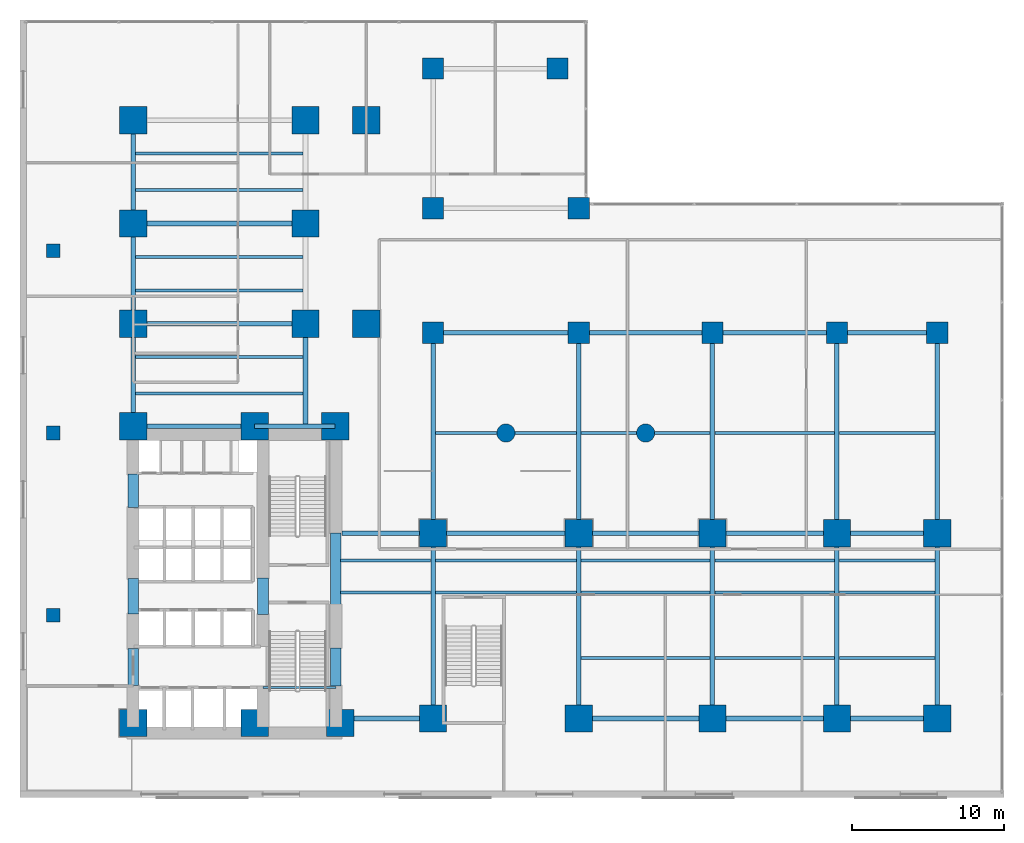
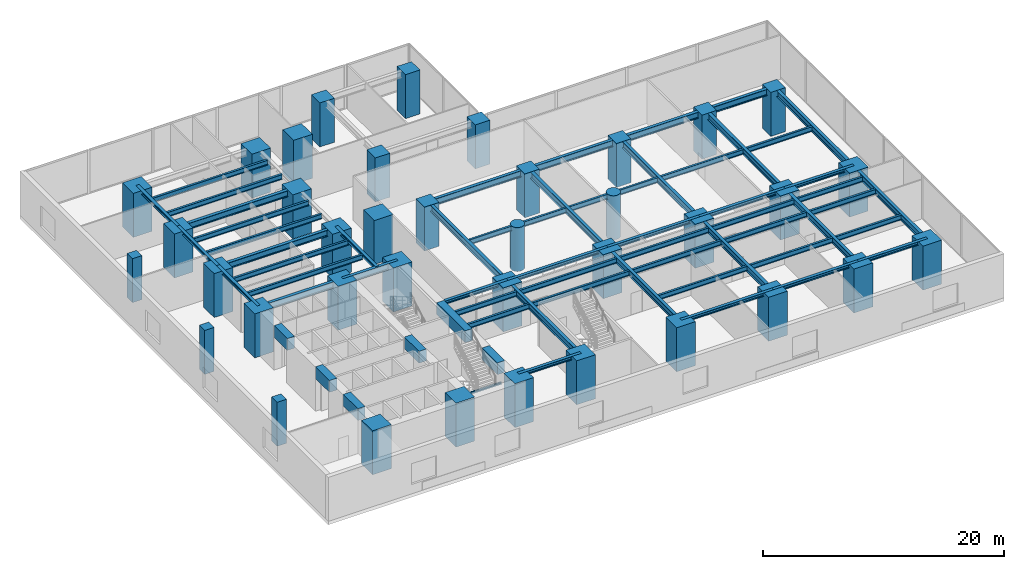
# One storey, part 1 of 16: 61 beams, 38 columns.
"""IFC4 building model written with IfcOpenShell, lengths in metres."""

from ifc_helpers import new_model, si_unit, direction, frame, origin, origin_2d, place, context, subcontext, project, spatial, rectangle, circle, i_section, extrude, material, material_profile, profile_set, type_object, element, save


model = new_model("IFC4")

# Units and contexts
model_context = context("Model", 3, precision=1e-05, world=origin(), true_north=direction((0.0, 1.0)))
body_context = subcontext(model_context, "Body", "Model", "MODEL_VIEW")
ifc_project = project(units=[si_unit("LENGTHUNIT", "METRE"), si_unit("AREAUNIT", "SQUARE_METRE"), si_unit("VOLUMEUNIT", "CUBIC_METRE"), si_unit("PLANEANGLEUNIT", "RADIAN"), si_unit("MASSUNIT", "GRAM", prefix="KILO")], contexts=[model_context])

# Site, building, storey
site_placement = place(None, origin())
site = spatial("IfcSite", under=ifc_project, at=site_placement, CompositionType="ELEMENT")
building_placement = place(site_placement, origin())
building = spatial("IfcBuilding", under=site, at=building_placement, Name="Kolvaren Waterfront Exchange", CompositionType="ELEMENT")
storey_placement = place(building_placement, frame((0.0, 0.0, 15.199951171875)))
storey = spatial("IfcBuildingStorey", under=building, at=storey_placement, Name="L04", CompositionType="ELEMENT", Elevation=15.199951171875)

# Columns
ifc_material_1 = material(Name="Concrete C70/85", Category="concrete")
ifc_material_profile_1 = material_profile(ifc_material_1, rectangle(XDim=1.39990234375, YDim=1.39990234375, at=origin_2d()), Name="RC-COL-1400x1400")
ifc_profile_set_1 = profile_set([ifc_material_profile_1], Name="Concrete C70/85")
column_type_1 = type_object("IfcColumnType", Name="STR-COL-1400-C70", PredefinedType="COLUMN", material=ifc_profile_set_1)
for number, where, z_axis, x_axis, name in (
    (1, (27.199951171875, 30.60009765625, 0.0), (0.0, 0.0, 1.0), (1.0, 0.0, 0.0), "L04 column PC01"),
    (2, (36.800048828125, 30.60009765625, 0.0), (0.0, 0.0, 1.0), (1.0, 0.0, 0.0), "L04 column PC02"),
    (3, (45.60009765625, 30.60009765625, 0.0), (0.0, 0.0, 1.0), (1.0, 0.0, 0.0), "L04 column PC03"),
    (4, (53.800048828125, 30.60009765625, 0.0), (0.0, 0.0, 1.0), (1.0, 0.0, 0.0), "L04 column PC04"),
    (5, (60.39990234375, 30.60009765625, 0.0), (0.0, 0.0, 1.0), (1.0, 0.0, 0.0), "L04 column PC05"),
    (6, (27.199951171875, 38.800048828125, 0.0), (0.0, 0.0, 1.0), (1.0, 0.0, 0.0), "L04 column PC06"),
    (7, (36.800048828125, 38.800048828125, 0.0), (0.0, 0.0, 1.0), (1.0, 0.0, 0.0), "L04 column PC07"),
    (8, (27.199951171875, 48.0, 0.0), (0.0, 0.0, 1.0), (1.0, 0.0, 0.0), "L04 column PC08"),
    (9, (35.39990234375, 48.0, 0.0), (0.0, 0.0, 1.0), (1.0, 0.0, 0.0), "L04 column PC09"),
):
    element("IfcColumn", number, at=place(storey_placement, frame(where, z_axis=z_axis, x_axis=x_axis)), inside=storey, type_object=column_type_1, Name=name, PredefinedType="COLUMN", context=body_context, shape_type="SweptSolid", body=[
        extrude(rectangle(XDim=1.39990234375, YDim=1.39990234375, at=origin_2d()), origin(), (0.0, 0.0, 1.0), 4.4599609375),
    ])
ifc_material_profile_2 = material_profile(ifc_material_1, rectangle(XDim=1.800048828125, YDim=1.800048828125, at=origin_2d()), Name="RC-COL-1800x1800")
ifc_profile_set_2 = profile_set([ifc_material_profile_2], Name="Concrete C70/85")
column_type_2 = type_object("IfcColumnType", Name="STR-COL-1800-C70", PredefinedType="COLUMN", material=ifc_profile_set_2)
for number, where, z_axis, x_axis, name in (
    (10, (7.449951171875, 4.89990234375, 0.0), (0.0, 0.0, 1.0), (1.0, 0.0, 0.0), "L04 column MC01"),
    (11, (15.449951171875, 4.89990234375, 0.0), (0.0, 0.0, 1.0), (1.0, 0.0, 0.0), "L04 column MC02"),
    (12, (21.10009765625, 4.89990234375, 0.0), (0.0, 0.0, 1.0), (1.0, 0.0, 0.0), "L04 column MC03"),
    (13, (7.449951171875, 24.449951171875, 0.0), (0.0, 0.0, 1.0), (1.0, 0.0, 0.0), "L04 column MC04"),
    (14, (15.449951171875, 24.449951171875, 0.0), (0.0, 0.0, 1.0), (1.0, 0.0, 0.0), "L04 column MC05"),
    (15, (20.75, 24.449951171875, 0.0), (0.0, 0.0, 1.0), (1.0, 0.0, 0.0), "L04 column MC06"),
    (16, (7.449951171875, 31.199951171875, 0.0), (0.0, 0.0, 1.0), (1.0, 0.0, 0.0), "L04 column NC01"),
    (17, (7.449951171875, 37.800048828125, 0.0), (0.0, 0.0, 1.0), (1.0, 0.0, 0.0), "L04 column NC02"),
    (18, (7.449951171875, 44.60009765625, 0.0), (0.0, 0.0, 1.0), (1.0, 0.0, 0.0), "L04 column NC03"),
    (19, (18.800048828125, 31.199951171875, 0.0), (0.0, 0.0, 1.0), (1.0, 0.0, 0.0), "L04 column NC04"),
    (20, (18.800048828125, 37.800048828125, 0.0), (0.0, 0.0, 1.0), (1.0, 0.0, 0.0), "L04 column NC05"),
    (21, (18.800048828125, 44.60009765625, 0.0), (0.0, 0.0, 1.0), (1.0, 0.0, 0.0), "L04 column NC06"),
    (22, (27.199951171875, 5.199951171875, 0.0), (0.0, 0.0, 1.0), (1.0, 0.0, 0.0), "L04 column EC01"),
    (23, (36.800048828125, 5.199951171875, 0.0), (0.0, 0.0, 1.0), (1.0, 0.0, 0.0), "L04 column EC02"),
    (24, (45.60009765625, 5.199951171875, 0.0), (0.0, 0.0, 1.0), (1.0, 0.0, 0.0), "L04 column EC03"),
    (25, (27.199951171875, 17.39990234375, 0.0), (0.0, 0.0, 1.0), (1.0, 0.0, 0.0), "L04 column EC04"),
    (26, (36.800048828125, 17.39990234375, 0.0), (0.0, 0.0, 1.0), (1.0, 0.0, 0.0), "L04 column EC05"),
    (27, (45.60009765625, 17.39990234375, 0.0), (0.0, 0.0, 1.0), (1.0, 0.0, 0.0), "L04 column EC06"),
    (28, (53.800048828125, 5.199951171875, 0.0), (0.0, 0.0, 1.0), (1.0, 0.0, 0.0), "L04 column ZC01"),
    (29, (53.800048828125, 17.39990234375, 0.0), (0.0, 0.0, 1.0), (1.0, 0.0, 0.0), "L04 column ZC02"),
    (30, (60.39990234375, 5.199951171875, 0.0), (0.0, 0.0, 1.0), (1.0, 0.0, 0.0), "L04 column ZC03"),
    (31, (60.39990234375, 17.39990234375, 0.0), (0.0, 0.0, 1.0), (1.0, 0.0, 0.0), "L04 column ZC04"),
    (32, (22.800048828125, 31.199951171875, 0.0), (0.0, 0.0, 1.0), (1.0, 0.0, 0.0), "L04 column ZC05"),
    (33, (22.800048828125, 44.60009765625, 0.0), (0.0, 0.0, 1.0), (1.0, 0.0, 0.0), "L04 column ZC06"),
):
    element("IfcColumn", number, at=place(storey_placement, frame(where, z_axis=z_axis, x_axis=x_axis)), inside=storey, type_object=column_type_2, Name=name, PredefinedType="COLUMN", context=body_context, shape_type="SweptSolid", body=[
        extrude(rectangle(XDim=1.800048828125, YDim=1.800048828125, at=origin_2d()), origin(), (0.0, 0.0, 1.0), 4.4599609375),
    ])
ifc_material_profile_3 = material_profile(ifc_material_1, circle(Radius=0.60009765625, at=origin_2d()), Name="RC-COL-D1200")
ifc_profile_set_3 = profile_set([ifc_material_profile_3], Name="Concrete C70/85")
column_type_3 = type_object("IfcColumnType", Name="STR-COL-D1200-C70", PredefinedType="COLUMN", material=ifc_profile_set_3)
for number, where, z_axis, x_axis, name in (
    (34, (32.0, 24.0, 0.0), (0.0, 0.0, 1.0), (1.0, 0.0, 0.0), "L04 column LC01"),
    (35, (41.199951171875, 24.0, 0.0), (0.0, 0.0, 1.0), (1.0, 0.0, 0.0), "L04 column LC02"),
):
    element("IfcColumn", number, at=place(storey_placement, frame(where, z_axis=z_axis, x_axis=x_axis)), inside=storey, type_object=column_type_3, Name=name, PredefinedType="COLUMN", context=body_context, shape_type="SweptSolid", body=[
        extrude(circle(Radius=0.60009765625, at=origin_2d()), origin(), (0.0, 0.0, 1.0), 4.4599609375),
    ])
ifc_material_profile_4 = material_profile(ifc_material_1, rectangle(XDim=0.89990234375, YDim=0.89990234375, at=origin_2d()), Name="RC-COL-900x900")
ifc_profile_set_4 = profile_set([ifc_material_profile_4], Name="Concrete C70/85")
column_type_4 = type_object("IfcColumnType", Name="STR-PIL-900-C70", PredefinedType="PILASTER", material=ifc_profile_set_4)
for number, where, z_axis, x_axis, name in (
    (36, (2.199951171875, 12.0, 0.0), (0.0, 0.0, 1.0), (1.0, 0.0, 0.0), "L04 column PL01"),
    (37, (2.199951171875, 24.0, 0.0), (0.0, 0.0, 1.0), (1.0, 0.0, 0.0), "L04 column PL02"),
    (38, (2.199951171875, 36.0, 0.0), (0.0, 0.0, 1.0), (1.0, 0.0, 0.0), "L04 column PL03"),
):
    element("IfcColumn", number, at=place(storey_placement, frame(where, z_axis=z_axis, x_axis=x_axis)), inside=storey, type_object=column_type_4, Name=name, PredefinedType="PILASTER", context=body_context, shape_type="SweptSolid", body=[
        extrude(rectangle(XDim=0.89990234375, YDim=0.89990234375, at=origin_2d()), origin(), (0.0, 0.0, 1.0), 4.4599609375),
    ])

# Beams
ifc_material_2 = material(Name="Steel S355", Category="steel")
ifc_material_profile_5 = material_profile(ifc_material_2, i_section(OverallWidth=0.300048828125, OverallDepth=0.360107421875, WebThickness=0.012451171875, FlangeThickness=0.0224609375, FilletRadius=0.027099609375, at=origin_2d()), Name="HEB360")
ifc_profile_set_5 = profile_set([ifc_material_profile_5], Name="Steel S355")
beam_type_1 = type_object("IfcBeamType", Name="STR-BM-HEB360", PredefinedType="SPANDREL", material=ifc_profile_set_5)
beam_1_placement = place(storey_placement, frame((7.449951171875, 24.449951171875, 4.280029296875), z_axis=(0.0, 1.0, 0.0), x_axis=(-1.0, 0.0, 0.0)))
element("IfcBeam", 39, at=beam_1_placement, inside=storey, type_object=beam_type_1, Name="L04 north-arm edge beam 1", PredefinedType="SPANDREL", context=body_context, shape_type="SweptSolid", body=[
    extrude(i_section(OverallWidth=0.300048828125, OverallDepth=0.360107421875, WebThickness=0.012451171875, FlangeThickness=0.0224609375, FilletRadius=0.027099609375, at=origin_2d()), origin(), (0.0, 0.0, 1.0), 6.75),
])
beam_2_placement = place(storey_placement, frame((7.449951171875, 31.199951171875, 4.280029296875), z_axis=(0.0, 1.0, 0.0), x_axis=(-1.0, 0.0, 0.0)))
element("IfcBeam", 40, at=beam_2_placement, inside=storey, type_object=beam_type_1, Name="L04 north-arm edge beam 2", PredefinedType="SPANDREL", context=body_context, shape_type="SweptSolid", body=[
    extrude(i_section(OverallWidth=0.300048828125, OverallDepth=0.360107421875, WebThickness=0.012451171875, FlangeThickness=0.0224609375, FilletRadius=0.027099609375, at=origin_2d()), origin(), (0.0, 0.0, 1.0), 6.60009765625),
])
beam_3_placement = place(storey_placement, frame((7.449951171875, 37.800048828125, 4.280029296875), z_axis=(0.0, 1.0, 0.0), x_axis=(-1.0, 0.0, 0.0)))
element("IfcBeam", 41, at=beam_3_placement, inside=storey, type_object=beam_type_1, Name="L04 north-arm edge beam 3", PredefinedType="SPANDREL", context=body_context, shape_type="SweptSolid", body=[
    extrude(i_section(OverallWidth=0.300048828125, OverallDepth=0.360107421875, WebThickness=0.012451171875, FlangeThickness=0.0224609375, FilletRadius=0.027099609375, at=origin_2d()), origin(), (0.0, 0.0, 1.0), 6.800048828125),
])
beam_4_placement = place(storey_placement, frame((18.800048828125, 24.449951171875, 4.280029296875), z_axis=(0.0, 1.0, 0.0), x_axis=(-1.0, 0.0, 0.0)))
element("IfcBeam", 42, at=beam_4_placement, inside=storey, type_object=beam_type_1, Name="L04 north-arm edge beam 1", PredefinedType="SPANDREL", context=body_context, shape_type="SweptSolid", body=[
    extrude(i_section(OverallWidth=0.300048828125, OverallDepth=0.360107421875, WebThickness=0.012451171875, FlangeThickness=0.0224609375, FilletRadius=0.027099609375, at=origin_2d()), origin(), (0.0, 0.0, 1.0), 6.75),
])
beam_5_placement = place(storey_placement, frame((21.199951171875, 5.199951171875, 4.280029296875), z_axis=(1.0, 0.0, 0.0), x_axis=(0.0, 1.0, 0.0)))
element("IfcBeam", 43, at=beam_5_placement, inside=storey, type_object=beam_type_1, Name="L04 east-arm spandrel S1", PredefinedType="SPANDREL", context=body_context, shape_type="SweptSolid", body=[
    extrude(i_section(OverallWidth=0.300048828125, OverallDepth=0.360107421875, WebThickness=0.012451171875, FlangeThickness=0.0224609375, FilletRadius=0.027099609375, at=origin_2d()), origin(), (0.0, 0.0, 1.0), 6.0),
])
beam_6_placement = place(storey_placement, frame((36.800048828125, 5.199951171875, 4.280029296875), z_axis=(1.0, 0.0, 0.0), x_axis=(0.0, 1.0, 0.0)))
element("IfcBeam", 44, at=beam_6_placement, inside=storey, type_object=beam_type_1, Name="L04 east-arm spandrel S3", PredefinedType="SPANDREL", context=body_context, shape_type="SweptSolid", body=[
    extrude(i_section(OverallWidth=0.300048828125, OverallDepth=0.360107421875, WebThickness=0.012451171875, FlangeThickness=0.0224609375, FilletRadius=0.027099609375, at=origin_2d()), origin(), (0.0, 0.0, 1.0), 8.800048828125),
])
beam_7_placement = place(storey_placement, frame((45.60009765625, 5.199951171875, 4.280029296875), z_axis=(1.0, 0.0, 0.0), x_axis=(0.0, 1.0, 0.0)))
element("IfcBeam", 45, at=beam_7_placement, inside=storey, type_object=beam_type_1, Name="L04 east-arm spandrel S4", PredefinedType="SPANDREL", context=body_context, shape_type="SweptSolid", body=[
    extrude(i_section(OverallWidth=0.300048828125, OverallDepth=0.360107421875, WebThickness=0.012451171875, FlangeThickness=0.0224609375, FilletRadius=0.027099609375, at=origin_2d()), origin(), (0.0, 0.0, 1.0), 8.199951171875),
])
beam_8_placement = place(storey_placement, frame((53.800048828125, 5.199951171875, 4.280029296875), z_axis=(1.0, 0.0, 0.0), x_axis=(0.0, 1.0, 0.0)))
element("IfcBeam", 46, at=beam_8_placement, inside=storey, type_object=beam_type_1, Name="L04 east-arm spandrel S5", PredefinedType="SPANDREL", context=body_context, shape_type="SweptSolid", body=[
    extrude(i_section(OverallWidth=0.300048828125, OverallDepth=0.360107421875, WebThickness=0.012451171875, FlangeThickness=0.0224609375, FilletRadius=0.027099609375, at=origin_2d()), origin(), (0.0, 0.0, 1.0), 6.599853515625),
])
beam_9_placement = place(storey_placement, frame((21.199951171875, 17.39990234375, 4.280029296875), z_axis=(1.0, 0.0, 0.0), x_axis=(0.0, 1.0, 0.0)))
element("IfcBeam", 47, at=beam_9_placement, inside=storey, type_object=beam_type_1, Name="L04 east-arm spandrel N1", PredefinedType="SPANDREL", context=body_context, shape_type="SweptSolid", body=[
    extrude(i_section(OverallWidth=0.300048828125, OverallDepth=0.360107421875, WebThickness=0.012451171875, FlangeThickness=0.0224609375, FilletRadius=0.027099609375, at=origin_2d()), origin(), (0.0, 0.0, 1.0), 6.0),
])
beam_10_placement = place(storey_placement, frame((27.199951171875, 17.39990234375, 4.280029296875), z_axis=(1.0, 0.0, 0.0), x_axis=(0.0, 1.0, 0.0)))
element("IfcBeam", 48, at=beam_10_placement, inside=storey, type_object=beam_type_1, Name="L04 east-arm spandrel N2", PredefinedType="SPANDREL", context=body_context, shape_type="SweptSolid", body=[
    extrude(i_section(OverallWidth=0.300048828125, OverallDepth=0.360107421875, WebThickness=0.012451171875, FlangeThickness=0.0224609375, FilletRadius=0.027099609375, at=origin_2d()), origin(), (0.0, 0.0, 1.0), 9.60009765625),
])
beam_11_placement = place(storey_placement, frame((36.800048828125, 17.39990234375, 4.280029296875), z_axis=(1.0, 0.0, 0.0), x_axis=(0.0, 1.0, 0.0)))
element("IfcBeam", 49, at=beam_11_placement, inside=storey, type_object=beam_type_1, Name="L04 east-arm spandrel N3", PredefinedType="SPANDREL", context=body_context, shape_type="SweptSolid", body=[
    extrude(i_section(OverallWidth=0.300048828125, OverallDepth=0.360107421875, WebThickness=0.012451171875, FlangeThickness=0.0224609375, FilletRadius=0.027099609375, at=origin_2d()), origin(), (0.0, 0.0, 1.0), 8.800048828125),
])
beam_12_placement = place(storey_placement, frame((45.60009765625, 17.39990234375, 4.280029296875), z_axis=(1.0, 0.0, 0.0), x_axis=(0.0, 1.0, 0.0)))
element("IfcBeam", 50, at=beam_12_placement, inside=storey, type_object=beam_type_1, Name="L04 east-arm spandrel N4", PredefinedType="SPANDREL", context=body_context, shape_type="SweptSolid", body=[
    extrude(i_section(OverallWidth=0.300048828125, OverallDepth=0.360107421875, WebThickness=0.012451171875, FlangeThickness=0.0224609375, FilletRadius=0.027099609375, at=origin_2d()), origin(), (0.0, 0.0, 1.0), 8.199951171875),
])
beam_13_placement = place(storey_placement, frame((53.800048828125, 17.39990234375, 4.280029296875), z_axis=(1.0, 0.0, 0.0), x_axis=(0.0, 1.0, 0.0)))
element("IfcBeam", 51, at=beam_13_placement, inside=storey, type_object=beam_type_1, Name="L04 east-arm spandrel N5", PredefinedType="SPANDREL", context=body_context, shape_type="SweptSolid", body=[
    extrude(i_section(OverallWidth=0.300048828125, OverallDepth=0.360107421875, WebThickness=0.012451171875, FlangeThickness=0.0224609375, FilletRadius=0.027099609375, at=origin_2d()), origin(), (0.0, 0.0, 1.0), 6.599853515625),
])
ifc_material_profile_6 = material_profile(ifc_material_2, i_section(OverallWidth=0.300048828125, OverallDepth=0.64990234375, WebThickness=0.01611328125, FlangeThickness=0.031005859375, FilletRadius=0.027099609375, at=origin_2d()), Name="HEB650")
ifc_profile_set_6 = profile_set([ifc_material_profile_6], Name="Steel S355")
beam_type_2 = type_object("IfcBeamType", Name="STR-BM-HEB650", PredefinedType="BEAM", material=ifc_profile_set_6)
beam_14_placement = place(storey_placement, frame((7.449951171875, 24.449951171875, 4.135009765625), z_axis=(1.0, 0.0, 0.0), x_axis=(0.0, 1.0, 0.0)))
element("IfcBeam", 52, at=beam_14_placement, inside=storey, type_object=beam_type_2, Name="L04 north-arm girder 1A", PredefinedType="BEAM", context=body_context, shape_type="SweptSolid", body=[
    extrude(i_section(OverallWidth=0.300048828125, OverallDepth=0.64990234375, WebThickness=0.01611328125, FlangeThickness=0.031005859375, FilletRadius=0.027099609375, at=origin_2d()), origin(), (0.0, 0.0, 1.0), 8.0),
])
beam_15_placement = place(storey_placement, frame((15.449951171875, 24.449951171875, 4.135009765625), z_axis=(1.0, 0.0, 0.0), x_axis=(0.0, 1.0, 0.0)))
element("IfcBeam", 53, at=beam_15_placement, inside=storey, type_object=beam_type_2, Name="L04 north-arm girder 1B", PredefinedType="BEAM", context=body_context, shape_type="SweptSolid", body=[
    extrude(i_section(OverallWidth=0.300048828125, OverallDepth=0.64990234375, WebThickness=0.01611328125, FlangeThickness=0.031005859375, FilletRadius=0.027099609375, at=origin_2d()), origin(), (0.0, 0.0, 1.0), 5.300048828125),
])
for number, where, z_axis, x_axis, name in (
    (54, (7.449951171875, 31.199951171875, 4.135009765625), (1.0, 0.0, 0.0), (0.0, 1.0, 0.0), "L04 north-arm girder 2"),
    (55, (7.449951171875, 37.800048828125, 4.135009765625), (1.0, 0.0, 0.0), (0.0, 1.0, 0.0), "L04 north-arm girder 3"),
):
    element("IfcBeam", number, at=place(storey_placement, frame(where, z_axis=z_axis, x_axis=x_axis)), inside=storey, type_object=beam_type_2, Name=name, PredefinedType="BEAM", context=body_context, shape_type="SweptSolid", body=[
        extrude(i_section(OverallWidth=0.300048828125, OverallDepth=0.64990234375, WebThickness=0.01611328125, FlangeThickness=0.031005859375, FilletRadius=0.027099609375, at=origin_2d()), origin(), (0.0, 0.0, 1.0), 11.35009765625),
    ])
for number, where, z_axis, x_axis, name in (
    (56, (27.199951171875, 5.199951171875, 4.135009765625), (0.0, 1.0, 0.0), (-1.0, 0.0, 0.0), "L04 east-arm transverse girder X27"),
    (57, (36.800048828125, 5.199951171875, 4.135009765625), (0.0, 1.0, 0.0), (-1.0, 0.0, 0.0), "L04 east-arm transverse girder X36"),
    (58, (45.60009765625, 5.199951171875, 4.135009765625), (0.0, 1.0, 0.0), (-1.0, 0.0, 0.0), "L04 east-arm transverse girder X45"),
    (59, (53.800048828125, 5.199951171875, 4.135009765625), (0.0, 1.0, 0.0), (-1.0, 0.0, 0.0), "L04 east-arm transverse girder X53"),
    (60, (60.39990234375, 5.199951171875, 4.135009765625), (0.0, 1.0, 0.0), (-1.0, 0.0, 0.0), "L04 east-arm transverse girder X60"),
):
    element("IfcBeam", number, at=place(storey_placement, frame(where, z_axis=z_axis, x_axis=x_axis)), inside=storey, type_object=beam_type_2, Name=name, PredefinedType="BEAM", context=body_context, shape_type="SweptSolid", body=[
        extrude(i_section(OverallWidth=0.300048828125, OverallDepth=0.64990234375, WebThickness=0.01611328125, FlangeThickness=0.031005859375, FilletRadius=0.027099609375, at=origin_2d()), origin(), (0.0, 0.0, 1.0), 12.199951171875),
    ])
for number, where, z_axis, x_axis, name in (
    (61, (27.199951171875, 17.39990234375, 4.135009765625), (0.0, 1.0, 0.0), (-1.0, 0.0, 0.0), "L04 podium hall girder X27"),
    (62, (36.800048828125, 17.39990234375, 4.135009765625), (0.0, 1.0, 0.0), (-1.0, 0.0, 0.0), "L04 podium hall girder X36"),
    (63, (45.60009765625, 17.39990234375, 4.135009765625), (0.0, 1.0, 0.0), (-1.0, 0.0, 0.0), "L04 podium hall girder X45"),
    (64, (53.800048828125, 17.39990234375, 4.135009765625), (0.0, 1.0, 0.0), (-1.0, 0.0, 0.0), "L04 podium hall girder X53"),
    (65, (60.39990234375, 17.39990234375, 4.135009765625), (0.0, 1.0, 0.0), (-1.0, 0.0, 0.0), "L04 podium hall girder X60"),
):
    element("IfcBeam", number, at=place(storey_placement, frame(where, z_axis=z_axis, x_axis=x_axis)), inside=storey, type_object=beam_type_2, Name=name, PredefinedType="BEAM", context=body_context, shape_type="SweptSolid", body=[
        extrude(i_section(OverallWidth=0.300048828125, OverallDepth=0.64990234375, WebThickness=0.01611328125, FlangeThickness=0.031005859375, FilletRadius=0.027099609375, at=origin_2d()), origin(), (0.0, 0.0, 1.0), 13.2001953125),
    ])
beam_16_placement = place(storey_placement, frame((27.199951171875, 30.60009765625, 4.135009765625), z_axis=(1.0, 0.0, 0.0), x_axis=(0.0, 1.0, 0.0)))
element("IfcBeam", 66, at=beam_16_placement, inside=storey, type_object=beam_type_2, Name="L04 podium longitudinal beam 1", PredefinedType="BEAM", context=body_context, shape_type="SweptSolid", body=[
    extrude(i_section(OverallWidth=0.300048828125, OverallDepth=0.64990234375, WebThickness=0.01611328125, FlangeThickness=0.031005859375, FilletRadius=0.027099609375, at=origin_2d()), origin(), (0.0, 0.0, 1.0), 9.60009765625),
])
beam_17_placement = place(storey_placement, frame((36.800048828125, 30.60009765625, 4.135009765625), z_axis=(1.0, 0.0, 0.0), x_axis=(0.0, 1.0, 0.0)))
element("IfcBeam", 67, at=beam_17_placement, inside=storey, type_object=beam_type_2, Name="L04 podium longitudinal beam 2", PredefinedType="BEAM", context=body_context, shape_type="SweptSolid", body=[
    extrude(i_section(OverallWidth=0.300048828125, OverallDepth=0.64990234375, WebThickness=0.01611328125, FlangeThickness=0.031005859375, FilletRadius=0.027099609375, at=origin_2d()), origin(), (0.0, 0.0, 1.0), 8.800048828125),
])
beam_18_placement = place(storey_placement, frame((45.60009765625, 30.60009765625, 4.135009765625), z_axis=(1.0, 0.0, 0.0), x_axis=(0.0, 1.0, 0.0)))
element("IfcBeam", 68, at=beam_18_placement, inside=storey, type_object=beam_type_2, Name="L04 podium longitudinal beam 3", PredefinedType="BEAM", context=body_context, shape_type="SweptSolid", body=[
    extrude(i_section(OverallWidth=0.300048828125, OverallDepth=0.64990234375, WebThickness=0.01611328125, FlangeThickness=0.031005859375, FilletRadius=0.027099609375, at=origin_2d()), origin(), (0.0, 0.0, 1.0), 8.199951171875),
])
beam_19_placement = place(storey_placement, frame((53.800048828125, 30.60009765625, 4.135009765625), z_axis=(1.0, 0.0, 0.0), x_axis=(0.0, 1.0, 0.0)))
element("IfcBeam", 69, at=beam_19_placement, inside=storey, type_object=beam_type_2, Name="L04 podium longitudinal beam 4", PredefinedType="BEAM", context=body_context, shape_type="SweptSolid", body=[
    extrude(i_section(OverallWidth=0.300048828125, OverallDepth=0.64990234375, WebThickness=0.01611328125, FlangeThickness=0.031005859375, FilletRadius=0.027099609375, at=origin_2d()), origin(), (0.0, 0.0, 1.0), 6.599853515625),
])
ifc_material_profile_7 = material_profile(ifc_material_2, i_section(OverallWidth=0.1201171875, OverallDepth=0.239990234375, WebThickness=0.006103515625, FlangeThickness=0.009765625, FilletRadius=0.014892578125, at=origin_2d()), Name="IPE240")
ifc_profile_set_7 = profile_set([ifc_material_profile_7], Name="Steel S355")
beam_type_3 = type_object("IfcBeamType", Name="STR-BM-IPE240", PredefinedType="LINTEL", material=ifc_profile_set_7)
beam_20_placement = place(storey_placement, frame((16.0, 7.25, 2.380126953125), z_axis=(1.0, 0.0, 0.0), x_axis=(0.0, 1.0, 0.0)))
element("IfcBeam", 70, at=beam_20_placement, inside=storey, type_object=beam_type_3, Name="L04 core throat header lintel", PredefinedType="LINTEL", context=body_context, shape_type="SweptSolid", body=[
    extrude(i_section(OverallWidth=0.1201171875, OverallDepth=0.239990234375, WebThickness=0.006103515625, FlangeThickness=0.009765625, FilletRadius=0.014892578125, at=origin_2d()), origin(), (0.0, 0.0, 1.0), 4.800048828125),
])
ifc_material_profile_8 = material_profile(ifc_material_2, i_section(OverallWidth=0.199951171875, OverallDepth=0.5, WebThickness=0.01025390625, FlangeThickness=0.01611328125, FilletRadius=0.02099609375, at=origin_2d()), Name="IPE500")
ifc_profile_set_8 = profile_set([ifc_material_profile_8], Name="Steel S355")
beam_type_4 = type_object("IfcBeamType", Name="STR-BM-IPE500", PredefinedType="JOIST", material=ifc_profile_set_8)
for number, where, z_axis, x_axis, name in (
    (71, (7.60205078125, 26.60009765625, 4.2099609375), (1.0, 0.0, 0.0), (0.0, 1.0, 0.0), "L04 north-arm composite joist 1"),
    (72, (7.60205078125, 29.0, 4.2099609375), (1.0, 0.0, 0.0), (0.0, 1.0, 0.0), "L04 north-arm composite joist 2"),
    (73, (7.60205078125, 33.39990234375, 4.2099609375), (1.0, 0.0, 0.0), (0.0, 1.0, 0.0), "L04 north-arm composite joist 3"),
    (74, (7.60205078125, 35.60009765625, 4.2099609375), (1.0, 0.0, 0.0), (0.0, 1.0, 0.0), "L04 north-arm composite joist 4"),
    (75, (7.60205078125, 40.0, 4.2099609375), (1.0, 0.0, 0.0), (0.0, 1.0, 0.0), "L04 north-arm composite joist 5"),
    (76, (7.60205078125, 42.39990234375, 4.2099609375), (1.0, 0.0, 0.0), (0.0, 1.0, 0.0), "L04 north-arm composite joist 6"),
):
    element("IfcBeam", number, at=place(storey_placement, frame(where, z_axis=z_axis, x_axis=x_axis)), inside=storey, type_object=beam_type_4, Name=name, PredefinedType="JOIST", context=body_context, shape_type="SweptSolid", body=[
        extrude(i_section(OverallWidth=0.199951171875, OverallDepth=0.5, WebThickness=0.01025390625, FlangeThickness=0.01611328125, FilletRadius=0.02099609375, at=origin_2d()), origin(), (0.0, 0.0, 1.0), 11.0458984375),
    ])
for number, where, z_axis, x_axis, name in (
    (77, (21.10009765625, 13.5, 4.2099609375), (1.0, 0.0, 0.0), (0.0, 1.0, 0.0), "L04 east-arm composite joist 1A"),
    (78, (21.10009765625, 15.60009765625, 4.2099609375), (1.0, 0.0, 0.0), (0.0, 1.0, 0.0), "L04 east-arm composite joist 1C"),
):
    element("IfcBeam", number, at=place(storey_placement, frame(where, z_axis=z_axis, x_axis=x_axis)), inside=storey, type_object=beam_type_4, Name=name, PredefinedType="JOIST", context=body_context, shape_type="SweptSolid", body=[
        extrude(i_section(OverallWidth=0.199951171875, OverallDepth=0.5, WebThickness=0.01025390625, FlangeThickness=0.01611328125, FilletRadius=0.02099609375, at=origin_2d()), origin(), (0.0, 0.0, 1.0), 5.947998046875),
    ])
for number, where, z_axis, x_axis, name in (
    (79, (27.35205078125, 13.5, 4.2099609375), (1.0, 0.0, 0.0), (0.0, 1.0, 0.0), "L04 east-arm composite joist 2A"),
    (80, (27.35205078125, 15.60009765625, 4.2099609375), (1.0, 0.0, 0.0), (0.0, 1.0, 0.0), "L04 east-arm composite joist 2C"),
):
    element("IfcBeam", number, at=place(storey_placement, frame(where, z_axis=z_axis, x_axis=x_axis)), inside=storey, type_object=beam_type_4, Name=name, PredefinedType="JOIST", context=body_context, shape_type="SweptSolid", body=[
        extrude(i_section(OverallWidth=0.199951171875, OverallDepth=0.5, WebThickness=0.01025390625, FlangeThickness=0.01611328125, FilletRadius=0.02099609375, at=origin_2d()), origin(), (0.0, 0.0, 1.0), 9.2958984375),
    ])
for number, where, z_axis, x_axis, name in (
    (81, (36.951904296875, 13.5, 4.2099609375), (1.0, 0.0, 0.0), (0.0, 1.0, 0.0), "L04 east-arm composite joist 3A"),
    (82, (36.951904296875, 15.60009765625, 4.2099609375), (1.0, 0.0, 0.0), (0.0, 1.0, 0.0), "L04 east-arm composite joist 3C"),
    (83, (36.951904296875, 9.199951171875, 4.2099609375), (1.0, 0.0, 0.0), (0.0, 1.0, 0.0), "L04 east-arm composite joist 3B"),
):
    element("IfcBeam", number, at=place(storey_placement, frame(where, z_axis=z_axis, x_axis=x_axis)), inside=storey, type_object=beam_type_4, Name=name, PredefinedType="JOIST", context=body_context, shape_type="SweptSolid", body=[
        extrude(i_section(OverallWidth=0.199951171875, OverallDepth=0.5, WebThickness=0.01025390625, FlangeThickness=0.01611328125, FilletRadius=0.02099609375, at=origin_2d()), origin(), (0.0, 0.0, 1.0), 8.49609375),
    ])
for number, where, z_axis, x_axis, name in (
    (84, (45.751953125, 13.5, 4.2099609375), (1.0, 0.0, 0.0), (0.0, 1.0, 0.0), "L04 east-arm composite joist 4A"),
    (85, (45.751953125, 15.60009765625, 4.2099609375), (1.0, 0.0, 0.0), (0.0, 1.0, 0.0), "L04 east-arm composite joist 4C"),
    (86, (45.751953125, 9.199951171875, 4.2099609375), (1.0, 0.0, 0.0), (0.0, 1.0, 0.0), "L04 east-arm composite joist 4B"),
):
    element("IfcBeam", number, at=place(storey_placement, frame(where, z_axis=z_axis, x_axis=x_axis)), inside=storey, type_object=beam_type_4, Name=name, PredefinedType="JOIST", context=body_context, shape_type="SweptSolid", body=[
        extrude(i_section(OverallWidth=0.199951171875, OverallDepth=0.5, WebThickness=0.01025390625, FlangeThickness=0.01611328125, FilletRadius=0.02099609375, at=origin_2d()), origin(), (0.0, 0.0, 1.0), 7.89599609375),
    ])
for number, where, z_axis, x_axis, name in (
    (87, (53.951904296875, 13.5, 4.2099609375), (1.0, 0.0, 0.0), (0.0, 1.0, 0.0), "L04 east-arm composite joist 5A"),
    (88, (53.951904296875, 15.60009765625, 4.2099609375), (1.0, 0.0, 0.0), (0.0, 1.0, 0.0), "L04 east-arm composite joist 5C"),
    (89, (53.951904296875, 9.199951171875, 4.2099609375), (1.0, 0.0, 0.0), (0.0, 1.0, 0.0), "L04 east-arm composite joist 5B"),
):
    element("IfcBeam", number, at=place(storey_placement, frame(where, z_axis=z_axis, x_axis=x_axis)), inside=storey, type_object=beam_type_4, Name=name, PredefinedType="JOIST", context=body_context, shape_type="SweptSolid", body=[
        extrude(i_section(OverallWidth=0.199951171875, OverallDepth=0.5, WebThickness=0.01025390625, FlangeThickness=0.01611328125, FilletRadius=0.02099609375, at=origin_2d()), origin(), (0.0, 0.0, 1.0), 6.296142578125),
    ])
beam_21_placement = place(storey_placement, frame((27.35205078125, 24.0, 4.2099609375), z_axis=(1.0, 0.0, 0.0), x_axis=(0.0, 1.0, 0.0)))
element("IfcBeam", 90, at=beam_21_placement, inside=storey, type_object=beam_type_4, Name="L04 podium trading joist 1", PredefinedType="JOIST", context=body_context, shape_type="SweptSolid", body=[
    extrude(i_section(OverallWidth=0.199951171875, OverallDepth=0.5, WebThickness=0.01025390625, FlangeThickness=0.01611328125, FilletRadius=0.02099609375, at=origin_2d()), origin(), (0.0, 0.0, 1.0), 9.2958984375),
])
beam_22_placement = place(storey_placement, frame((36.951904296875, 24.0, 4.2099609375), z_axis=(1.0, 0.0, 0.0), x_axis=(0.0, 1.0, 0.0)))
element("IfcBeam", 91, at=beam_22_placement, inside=storey, type_object=beam_type_4, Name="L04 podium trading joist 2", PredefinedType="JOIST", context=body_context, shape_type="SweptSolid", body=[
    extrude(i_section(OverallWidth=0.199951171875, OverallDepth=0.5, WebThickness=0.01025390625, FlangeThickness=0.01611328125, FilletRadius=0.02099609375, at=origin_2d()), origin(), (0.0, 0.0, 1.0), 8.49609375),
])
beam_23_placement = place(storey_placement, frame((45.751953125, 24.0, 4.2099609375), z_axis=(1.0, 0.0, 0.0), x_axis=(0.0, 1.0, 0.0)))
element("IfcBeam", 92, at=beam_23_placement, inside=storey, type_object=beam_type_4, Name="L04 podium trading joist 3", PredefinedType="JOIST", context=body_context, shape_type="SweptSolid", body=[
    extrude(i_section(OverallWidth=0.199951171875, OverallDepth=0.5, WebThickness=0.01025390625, FlangeThickness=0.01611328125, FilletRadius=0.02099609375, at=origin_2d()), origin(), (0.0, 0.0, 1.0), 7.89599609375),
])
beam_24_placement = place(storey_placement, frame((53.951904296875, 24.0, 4.2099609375), z_axis=(1.0, 0.0, 0.0), x_axis=(0.0, 1.0, 0.0)))
element("IfcBeam", 93, at=beam_24_placement, inside=storey, type_object=beam_type_4, Name="L04 podium trading joist 4", PredefinedType="JOIST", context=body_context, shape_type="SweptSolid", body=[
    extrude(i_section(OverallWidth=0.199951171875, OverallDepth=0.5, WebThickness=0.01025390625, FlangeThickness=0.01611328125, FilletRadius=0.02099609375, at=origin_2d()), origin(), (0.0, 0.0, 1.0), 6.296142578125),
])
ifc_material_profile_9 = material_profile(ifc_material_1, rectangle(XDim=0.699951171875, YDim=1.199951171875, at=origin_2d()), Name="RC-CB-1200x700")
ifc_profile_set_9 = profile_set([ifc_material_profile_9], Name="Concrete C70/85")
beam_type_5 = type_object("IfcBeamType", Name="STR-CB-1200", PredefinedType="SPANDREL", material=ifc_profile_set_9)
beam_25_placement = place(storey_placement, frame((20.800048828125, 7.340087890625, 3.860107421875), z_axis=(0.0, 1.0, 0.0), x_axis=(-1.0, 0.0, 0.0)))
element("IfcBeam", 94, at=beam_25_placement, inside=storey, type_object=beam_type_5, Name="L04 core coupling beam 1", PredefinedType="SPANDREL", context=body_context, shape_type="SweptSolid", body=[
    extrude(rectangle(XDim=0.699951171875, YDim=1.199951171875, at=origin_2d()), origin(), (0.0, 0.0, 1.0), 2.52001953125),
])
beam_26_placement = place(storey_placement, frame((20.800048828125, 12.68994140625, 3.860107421875), z_axis=(0.0, 1.0, 0.0), x_axis=(-1.0, 0.0, 0.0)))
element("IfcBeam", 95, at=beam_26_placement, inside=storey, type_object=beam_type_5, Name="L04 core coupling beam 2", PredefinedType="SPANDREL", context=body_context, shape_type="SweptSolid", body=[
    extrude(rectangle(XDim=0.699951171875, YDim=1.199951171875, at=origin_2d()), origin(), (0.0, 0.0, 1.0), 4.719970703125),
])
beam_27_placement = place(storey_placement, frame((7.449951171875, 7.389892578125, 3.860107421875), z_axis=(0.0, 1.0, 0.0), x_axis=(-1.0, 0.0, 0.0)))
element("IfcBeam", 96, at=beam_27_placement, inside=storey, type_object=beam_type_5, Name="L04 core coupling beam 3", PredefinedType="SPANDREL", context=body_context, shape_type="SweptSolid", body=[
    extrude(rectangle(XDim=0.699951171875, YDim=1.199951171875, at=origin_2d()), origin(), (0.0, 0.0, 1.0), 2.420166015625),
])
beam_28_placement = place(storey_placement, frame((7.449951171875, 12.090087890625, 3.860107421875), z_axis=(0.0, 1.0, 0.0), x_axis=(-1.0, 0.0, 0.0)))
element("IfcBeam", 97, at=beam_28_placement, inside=storey, type_object=beam_type_5, Name="L04 core coupling beam 4", PredefinedType="SPANDREL", context=body_context, shape_type="SweptSolid", body=[
    extrude(rectangle(XDim=0.699951171875, YDim=1.199951171875, at=origin_2d()), origin(), (0.0, 0.0, 1.0), 2.31982421875),
])
beam_29_placement = place(storey_placement, frame((7.449951171875, 19.10009765625, 3.860107421875), z_axis=(0.0, 1.0, 0.0), x_axis=(-1.0, 0.0, 0.0)))
element("IfcBeam", 98, at=beam_29_placement, inside=storey, type_object=beam_type_5, Name="L04 core coupling beam 5", PredefinedType="SPANDREL", context=body_context, shape_type="SweptSolid", body=[
    extrude(rectangle(XDim=0.699951171875, YDim=1.199951171875, at=origin_2d()), origin(), (0.0, 0.0, 1.0), 2.199951171875),
])
beam_30_placement = place(storey_placement, frame((16.0, 12.0400390625, 3.860107421875), z_axis=(0.0, 1.0, 0.0), x_axis=(-1.0, 0.0, 0.0)))
element("IfcBeam", 99, at=beam_30_placement, inside=storey, type_object=beam_type_5, Name="L04 core coupling beam 6", PredefinedType="SPANDREL", context=body_context, shape_type="SweptSolid", body=[
    extrude(rectangle(XDim=0.699951171875, YDim=1.199951171875, at=origin_2d()), origin(), (0.0, 0.0, 1.0), 2.419921875),
])

save(model, "model.ifc")
